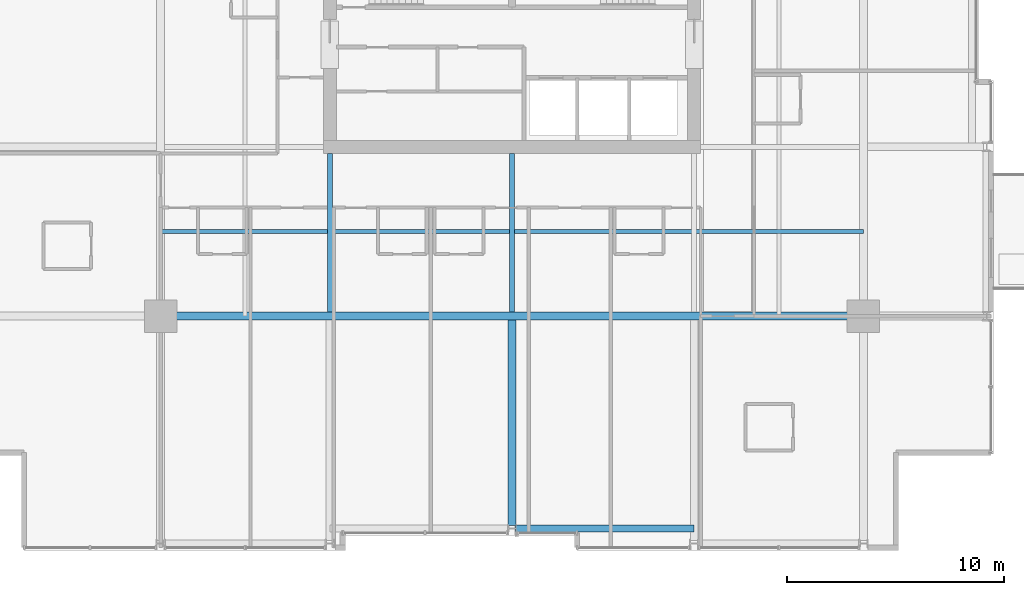
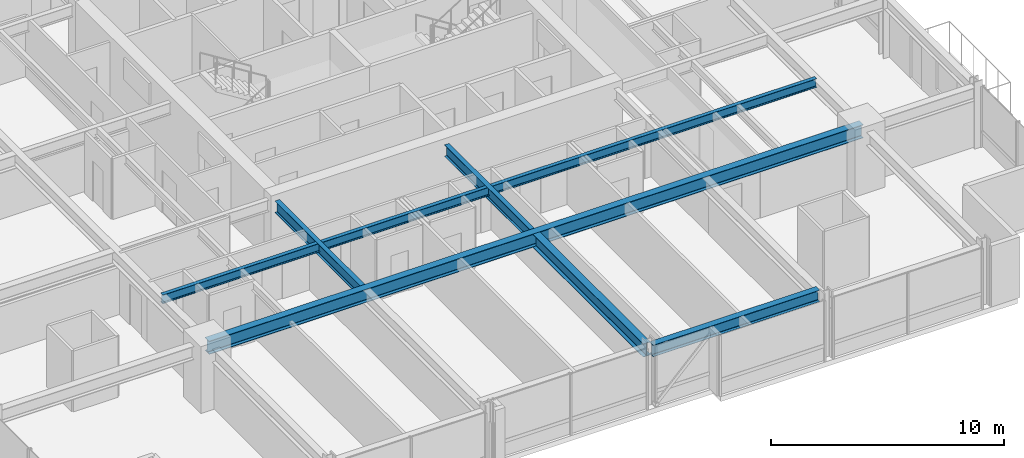
# One storey, part 6 of 35: 6 beams.
"""IFC4 building model written with IfcOpenShell, lengths in metres."""

import ifcopenshell
import ifcopenshell.guid

model = None  # the IFC model being written
_history = None  # IfcOwnerHistory: only IFC2X3 demands one
_inside = {}  # id of a spatial element -> (the spatial element, [elements in it])
_under = {}  # id of a project, library or spatial element -> (it, [spatial elements below it])
_declared = {}  # id of a project -> (the project, [libraries it declares])
_typed = {}  # id of a type object -> (the type object, [elements of that type])
_made_of = {}  # id of a material, layer set ... -> (it, [elements and type objects made of it])


def new_model(schema):
    """Start an empty IFC model of exactly this schema.

    Asked for "IFC4X3", IfcOpenShell would pick the latest addendum, in which some entities
    have other attributes; the version numbers below select the first issue.
    IFC2X3 requires an IfcOwnerHistory on every rooted entity: one is made here for all.
    """
    global model, _history
    if schema == "IFC4X3":
        model = ifcopenshell.file(schema_version=(4, 3, 0, 0))
    else:
        model = ifcopenshell.file(schema=schema)
    _inside.clear()
    _under.clear()
    _declared.clear()
    _typed.clear()
    _made_of.clear()
    _history = None
    if model.schema == "IFC2X3":
        org = make("IfcOrganization", Name="unknown")
        user = make(
            "IfcPersonAndOrganization",
            ThePerson=make("IfcPerson", FamilyName="unknown"),
            TheOrganization=org,
        )
        app = make(
            "IfcApplication",
            ApplicationDeveloper=org,
            Version="unknown",
            ApplicationFullName="unknown",
            ApplicationIdentifier="unknown",
        )
        _history = make(
            "IfcOwnerHistory",
            OwningUser=user,
            OwningApplication=app,
            ChangeAction="ADDED",
            CreationDate=0,
        )
    return model


def make(cls, **values):
    """One entity of the class cls with the attributes given. An attribute that is None is left unset."""
    return model.create_entity(
        cls, **{name: value for name, value in values.items() if value is not None}
    )


def rooted(cls, **values):
    """An entity with a GlobalId (a new one), such as an element, a storey or a relation."""
    return make(cls, GlobalId=ifcopenshell.guid.new(), OwnerHistory=_history, **values)


def si_unit(unit_type, name, prefix=None):
    """IfcSIUnit, for example si_unit("LENGTHUNIT", "METRE", prefix="MILLI")."""
    return make("IfcSIUnit", UnitType=unit_type, Prefix=prefix, Name=name)


def assignment(units):
    """IfcUnitAssignment: the units of a project."""
    return None if units is None else make("IfcUnitAssignment", Units=units)


def point(xyz):
    """IfcCartesianPoint."""
    return None if xyz is None else make("IfcCartesianPoint", Coordinates=xyz)


def direction(xyz):
    """IfcDirection."""
    return None if xyz is None else make("IfcDirection", DirectionRatios=xyz)


def frame(location, z_axis=None, x_axis=None):
    """IfcAxis2Placement3D, a coordinate frame: its origin and axes. An axis left out is left unset."""
    return make(
        "IfcAxis2Placement3D",
        Location=point(location),
        Axis=direction(z_axis),
        RefDirection=direction(x_axis),
    )


def frame_2d(location, x_axis=None):
    """IfcAxis2Placement2D, a coordinate frame in the plane: its origin and x axis."""
    return make(
        "IfcAxis2Placement2D", Location=point(location), RefDirection=direction(x_axis)
    )


def origin():
    """The frame at (0, 0, 0) with its axes left unset."""
    return frame((0.0, 0.0, 0.0))


def origin_2d():
    """The frame at (0, 0) in the plane with its x axis left unset."""
    return frame_2d((0.0, 0.0))


def place(relative_to, where):
    """IfcLocalPlacement: puts the frame where relative to a parent placement (None: the world)."""
    return make(
        "IfcLocalPlacement", PlacementRelTo=relative_to, RelativePlacement=where
    )


def context(
    kind, dimensions, precision=None, world=None, true_north=None, identifier=None
):
    """IfcGeometricRepresentationContext, for example the 3D "Model" context."""
    return make(
        "IfcGeometricRepresentationContext",
        ContextIdentifier=identifier,
        ContextType=kind,
        CoordinateSpaceDimension=dimensions,
        Precision=precision,
        WorldCoordinateSystem=world,
        TrueNorth=true_north,
    )


def subcontext(parent, identifier, kind, view, scale=None):
    """IfcGeometricRepresentationSubContext, for example "Body" below "Model"."""
    return make(
        "IfcGeometricRepresentationSubContext",
        ContextIdentifier=identifier,
        ContextType=kind,
        ParentContext=parent,
        TargetScale=scale,
        TargetView=view,
    )


def project(units=None, contexts=None):
    """IfcProject with its units and contexts."""
    return rooted(
        "IfcProject",
        Name="project",
        RepresentationContexts=contexts,
        UnitsInContext=assignment(units),
    )


def spatial(cls, under=None, at=None, **own):
    """A site, building, storey or space (cls), placed at a placement, below another one or the project."""
    s = rooted(cls, ObjectPlacement=at, **own)
    if under is not None:
        _under.setdefault(under.id(), (under, []))[1].append(s)
    return s


def profile(cls, at=None, kind="AREA", **sizes):
    """A parametric profile (cls). Its sizes go by their IFC names, for example OverallWidth=200.0."""
    return make(cls, ProfileType=kind, Position=at, **sizes)


def i_section(**sizes):
    """IfcIShapeProfileDef."""
    return profile("IfcIShapeProfileDef", **sizes)


def extrude(swept, where, along, depth):
    """IfcExtrudedAreaSolid: the profile swept, set in the frame where, extruded along a direction by depth."""
    return make(
        "IfcExtrudedAreaSolid",
        SweptArea=swept,
        Position=where,
        ExtrudedDirection=direction(along),
        Depth=depth,
    )


def shape(context_of_items, identifier, shape_type, items):
    """IfcShapeRepresentation: the items that make up one representation, for example the "Body"."""
    return make(
        "IfcShapeRepresentation",
        ContextOfItems=context_of_items,
        RepresentationIdentifier=identifier,
        RepresentationType=shape_type,
        Items=items,
    )


def material(Name=None, Category=None):
    """IfcMaterial."""
    return make("IfcMaterial", Name=Name, Category=Category)


def material_profile(
    of_material, cross_section, Name=None, Category=None, Priority=None
):
    """IfcMaterialProfile: a cross section and its material."""
    return make(
        "IfcMaterialProfile",
        Name=Name,
        Material=of_material,
        Profile=cross_section,
        Priority=Priority,
        Category=Category,
    )


def profile_set(profiles, Name=None, composite=None):
    """IfcMaterialProfileSet."""
    return make(
        "IfcMaterialProfileSet",
        Name=Name,
        MaterialProfiles=profiles,
        CompositeProfile=composite,
    )


def made_of(thing, what):
    """Note that an element or type object is made of a material, layer set ...; save() writes the relation."""
    if what is not None:
        _made_of.setdefault(what.id(), (what, []))[1].append(thing)
    return thing


def type_object(cls, material=None, **own):
    """A type object (cls), such as IfcWallType, which elements share."""
    return made_of(rooted(cls, **own), material)


def element(
    cls,
    number,
    at=None,
    inside=None,
    cuts=None,
    type_object=None,
    material=None,
    context=None,
    identifier="Body",
    shape_type=None,
    held_by="IfcProductDefinitionShape",
    body=None,
    shapes=None,
    **own,
):
    """One element of the class cls, such as IfcWall. Its Tag is "e" and its number.

    at: its placement. inside: the storey or other place that contains it. cuts: it is an
    opening in that element (IfcRelVoidsElement). A single representation is given by context,
    identifier, shape_type and body (its items); several are given by shapes. held_by: the class
    of the entity that holds the representations. save() writes the other relations.
    """
    e = rooted(cls, Tag="e%d" % number, ObjectPlacement=at, **own)
    if body is not None:
        shapes = [shape(context, identifier, shape_type, body)]
    if shapes is not None:
        e.Representation = make(held_by, Representations=shapes)
    if inside is not None:
        _inside.setdefault(inside.id(), (inside, []))[1].append(e)
    if cuts is not None:
        rooted(
            "IfcRelVoidsElement", RelatingBuildingElement=cuts, RelatedOpeningElement=e
        )
    if type_object is not None:
        _typed.setdefault(type_object.id(), (type_object, []))[1].append(e)
    return made_of(e, material)


def aggregate(whole, parts):
    """IfcRelAggregates: a whole, such as a stair, and the parts it consists of."""
    return rooted("IfcRelAggregates", RelatingObject=whole, RelatedObjects=parts)


def save(model, path):
    """Write the relations noted so far, then the file.

    IfcRelAggregates (storeys below a building ...), IfcRelContainedInSpatialStructure (elements
    in a storey), IfcRelDefinesByType, IfcRelAssociatesMaterial and IfcRelDeclares: one each for
    every whole, place, type object, material and project.
    """
    for whole, parts in _under.values():
        aggregate(whole, parts)
    for where, things in _inside.values():
        rooted(
            "IfcRelContainedInSpatialStructure",
            RelatedElements=things,
            RelatingStructure=where,
        )
    for kind, things in _typed.values():
        rooted("IfcRelDefinesByType", RelatedObjects=things, RelatingType=kind)
    for what, things in _made_of.values():
        rooted("IfcRelAssociatesMaterial", RelatedObjects=things, RelatingMaterial=what)
    for by, libraries in _declared.values():
        rooted("IfcRelDeclares", RelatingContext=by, RelatedDefinitions=libraries)
    model.write(path)


model = new_model("IFC4")

# Units and contexts
model_context = context("Model", 3, precision=1e-05, world=origin(), true_north=direction((0.0, 1.0)))
body_context = subcontext(model_context, "Body", "Model", "MODEL_VIEW")
ifc_project = project(units=[si_unit("LENGTHUNIT", "METRE"), si_unit("AREAUNIT", "SQUARE_METRE"), si_unit("VOLUMEUNIT", "CUBIC_METRE"), si_unit("PLANEANGLEUNIT", "RADIAN"), si_unit("MASSUNIT", "GRAM", prefix="KILO")], contexts=[model_context])

# Site, building, storey
site_placement = place(None, origin())
site = spatial("IfcSite", under=ifc_project, at=site_placement, CompositionType="ELEMENT")
building_placement = place(site_placement, origin())
building = spatial("IfcBuilding", under=site, at=building_placement, Name="Drelvath Grand Hotel", CompositionType="ELEMENT")
storey_placement = place(building_placement, frame((0.0, 0.0, 137.300048828125)))
storey = spatial("IfcBuildingStorey", under=building, at=storey_placement, Name="L35", CompositionType="ELEMENT", Elevation=137.300048828125)

# Beams
ifc_material = material(Name="Steel ASTM A992 Gr 50", Category="steel")
ifc_material_profile_1 = material_profile(ifc_material, i_section(OverallWidth=0.19140625, OverallDepth=0.4599609375, WebThickness=0.010009765625, FlangeThickness=0.01611328125, FilletRadius=0.01611328125, at=origin_2d()), Name="W18X55")
ifc_profile_set_1 = profile_set([ifc_material_profile_1], Name="Steel ASTM A992 Gr 50")
beam_type_1 = type_object("IfcBeamType", Name="Composite Floor Joist W18X55", PredefinedType="JOIST", material=ifc_profile_set_1)
beam_1_placement = place(storey_placement, frame((-16.199951171875, 14.699951171875, 2.949951171875), z_axis=(1.0, 0.0, 0.0), x_axis=(0.0, 1.0, 0.0)))
element("IfcBeam", 1, at=beam_1_placement, inside=storey, type_object=beam_type_1, Name="L35 Floor Joist J1", PredefinedType="JOIST", context=body_context, shape_type="SweptSolid", body=[
    extrude(i_section(OverallWidth=0.19140625, OverallDepth=0.4599609375, WebThickness=0.010009765625, FlangeThickness=0.01611328125, FilletRadius=0.01611328125, at=origin_2d()), origin(), (0.0, 0.0, 1.0), 32.39990234375),
])
ifc_material_profile_2 = material_profile(ifc_material, i_section(OverallWidth=0.323974609375, OverallDepth=0.611083984375, WebThickness=0.0126953125, FlangeThickness=0.01904296875, FilletRadius=0.02197265625, at=origin_2d()), Name="W24X104")
ifc_profile_set_2 = profile_set([ifc_material_profile_2], Name="Steel ASTM A992 Gr 50")
beam_type_2 = type_object("IfcBeamType", Name="Perimeter Spandrel Beam W24X104", PredefinedType="SPANDREL", material=ifc_profile_set_2)
beam_2_placement = place(storey_placement, frame((0.139892578125, 1.0, 2.874267578125), z_axis=(1.0, 0.0, 0.0), x_axis=(0.0, 1.0, 0.0)))
element("IfcBeam", 2, at=beam_2_placement, inside=storey, type_object=beam_type_2, Name="L35 Spandrel South Mid E", PredefinedType="SPANDREL", context=body_context, shape_type="SweptSolid", body=[
    extrude(i_section(OverallWidth=0.323974609375, OverallDepth=0.611083984375, WebThickness=0.0126953125, FlangeThickness=0.01904296875, FilletRadius=0.02197265625, at=origin_2d()), origin(), (0.0, 0.0, 1.0), 8.260009765625),
])
ifc_material_profile_3 = material_profile(ifc_material, i_section(OverallWidth=0.228271484375, OverallDepth=0.607666015625, WebThickness=0.01123046875, FlangeThickness=0.017333984375, FilletRadius=0.02001953125, at=origin_2d()), Name="W24X76")
ifc_profile_set_3 = profile_set([ifc_material_profile_3], Name="Steel ASTM A992 Gr 50")
beam_type_3 = type_object("IfcBeamType", Name="Primary Floor Girder W24X76", PredefinedType="BEAM", material=ifc_profile_set_3)
for number, where, z_axis, x_axis, name in (
    (3, (-8.39990234375, 10.977294921875, 2.876220703125), (0.0, 1.0, 0.0), (-1.0, 0.0, 0.0), "L35 South Core Tie 4"),
    (4, (0.0, 10.977294921875, 2.876220703125), (0.0, 1.0, 0.0), (-1.0, 0.0, 0.0), "L35 South Core Tie 5"),
):
    element("IfcBeam", number, at=place(storey_placement, frame(where, z_axis=z_axis, x_axis=x_axis)), inside=storey, type_object=beam_type_3, Name=name, PredefinedType="BEAM", context=body_context, shape_type="SweptSolid", body=[
        extrude(i_section(OverallWidth=0.228271484375, OverallDepth=0.607666015625, WebThickness=0.01123046875, FlangeThickness=0.017333984375, FilletRadius=0.02001953125, at=origin_2d()), origin(), (0.0, 0.0, 1.0), 7.32275390625),
    ])
ifc_material_profile_4 = material_profile(ifc_material, i_section(OverallWidth=0.354736328125, OverallDepth=0.695556640625, WebThickness=0.015380859375, FlangeThickness=0.025146484375, FilletRadius=0.02392578125, at=origin_2d()), Name="W27X146")
ifc_profile_set_4 = profile_set([ifc_material_profile_4], Name="Steel ASTM A992 Gr 50")
beam_type_4 = type_object("IfcBeamType", Name="Primary Floor Girder W27X146", PredefinedType="BEAM", material=ifc_profile_set_4)
beam_3_placement = place(storey_placement, frame((-16.199951171875, 10.800048828125, 2.83203125), z_axis=(1.0, 0.0, 0.0), x_axis=(0.0, 1.0, 0.0)))
element("IfcBeam", 5, at=beam_3_placement, inside=storey, type_object=beam_type_4, Name="L35 Mega Ring Girder South", PredefinedType="BEAM", context=body_context, shape_type="SweptSolid", body=[
    extrude(i_section(OverallWidth=0.354736328125, OverallDepth=0.695556640625, WebThickness=0.015380859375, FlangeThickness=0.025146484375, FilletRadius=0.02392578125, at=origin_2d()), origin(), (0.0, 0.0, 1.0), 32.39990234375),
])
beam_4_placement = place(storey_placement, frame((0.0, 1.139892578125, 2.83203125), z_axis=(0.0, 1.0, 0.0), x_axis=(-1.0, 0.0, 0.0)))
element("IfcBeam", 6, at=beam_4_placement, inside=storey, type_object=beam_type_4, Name="L35 South Wing Girder 5", PredefinedType="BEAM", context=body_context, shape_type="SweptSolid", body=[
    extrude(i_section(OverallWidth=0.354736328125, OverallDepth=0.695556640625, WebThickness=0.015380859375, FlangeThickness=0.025146484375, FilletRadius=0.02392578125, at=origin_2d()), origin(), (0.0, 0.0, 1.0), 9.482666015625),
])

save(model, "model.ifc")
